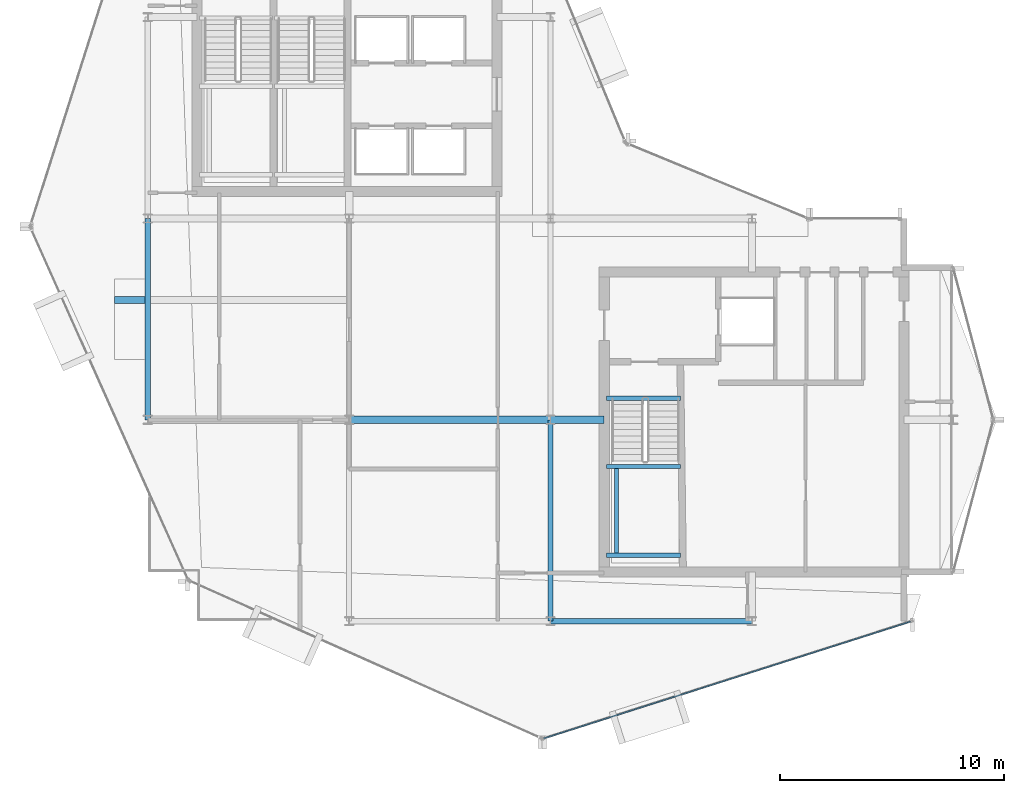
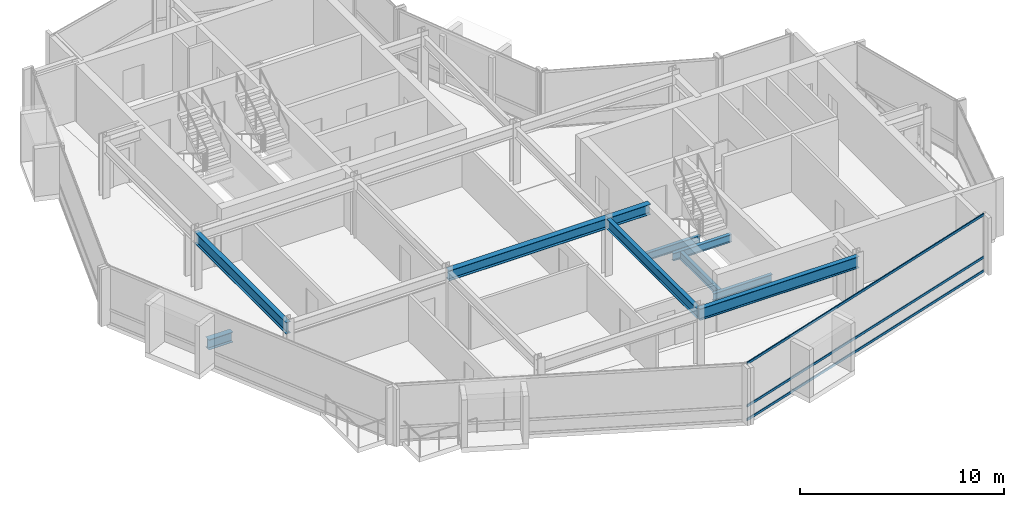
# One storey, part 5 of 19: 10 beams, 3 members, 1 element without a shape of its own.
"""IFC4 building model written with IfcOpenShell, lengths in metres."""

from ifc_helpers import new_model, si_unit, direction, frame, origin, origin_2d, place, context, subcontext, project, spatial, hollow_rectangle, i_section, extrude, material, layer, layer_set, material_profile, profile_set, type_object, element, aggregate, save


model = new_model("IFC4")

# Units and contexts
model_context = context("Model", 3, precision=1e-05, world=origin(), true_north=direction((0.0, 1.0)))
body_context = subcontext(model_context, "Body", "Model", "MODEL_VIEW")
ifc_project = project(units=[si_unit("LENGTHUNIT", "METRE"), si_unit("AREAUNIT", "SQUARE_METRE"), si_unit("VOLUMEUNIT", "CUBIC_METRE"), si_unit("PLANEANGLEUNIT", "RADIAN"), si_unit("MASSUNIT", "GRAM", prefix="KILO")], contexts=[model_context])

# Site, building, storey
site_placement = place(None, origin())
site = spatial("IfcSite", under=ifc_project, at=site_placement, CompositionType="ELEMENT")
building_placement = place(site_placement, origin())
building = spatial("IfcBuilding", under=site, at=building_placement, Name="Solvaryn Broadcast Tower", CompositionType="ELEMENT")
storey_placement = place(building_placement, frame((0.0, 0.0, 259.300048828125)))
storey = spatial("IfcBuildingStorey", under=building, at=storey_placement, Name="L65", CompositionType="ELEMENT", Elevation=259.300048828125)

# Beams
ifc_material_1 = material(Name="Steel ASTM A992 Grade 50", Category="steel")
ifc_material_profile_1 = material_profile(ifc_material_1, i_section(OverallWidth=0.323974609375, OverallDepth=0.611083984375, WebThickness=0.0126953125, FlangeThickness=0.01904296875, FilletRadius=0.014892578125, at=origin_2d()))
ifc_profile_set_1 = profile_set([ifc_material_profile_1], Name="Steel ASTM A992 Grade 50")
beam_type_1 = type_object("IfcBeamType", Name="BM-B1-W24X104", PredefinedType="BEAM", material=ifc_profile_set_1)
beam_1_placement = place(storey_placement, frame((18.0, 18.0, 3.114501953125), z_axis=(1.0, 0.0, 0.0), x_axis=(0.0, 1.0, 0.0)))
element("IfcBeam", 1, at=beam_1_placement, inside=storey, type_object=beam_type_1, Name="L65 Primary Beam X (18-27 @ Y=18)", PredefinedType="BEAM", context=body_context, shape_type="SweptSolid", body=[
    extrude(i_section(OverallWidth=0.323974609375, OverallDepth=0.611083984375, WebThickness=0.0126953125, FlangeThickness=0.01904296875, FilletRadius=0.014892578125, at=origin_2d()), origin(), (0.0, 0.0, 1.0), 9.0),
])
beam_2_placement = place(storey_placement, frame((27.0, 18.0, 3.114501953125), z_axis=(1.0, 0.0, 0.0), x_axis=(0.0, 1.0, 0.0)))
element("IfcBeam", 2, at=beam_2_placement, inside=storey, type_object=beam_type_1, Name="L65 Core Tie Beam CTE4", PredefinedType="BEAM", context=body_context, shape_type="SweptSolid", body=[
    extrude(i_section(OverallWidth=0.323974609375, OverallDepth=0.611083984375, WebThickness=0.0126953125, FlangeThickness=0.01904296875, FilletRadius=0.014892578125, at=origin_2d()), origin(), (0.0, 0.0, 1.0), 2.39990234375),
])
ifc_material_2 = material(Name="Steel ASTM A992 Grade 50", Category="steel")
ifc_material_profile_2 = material_profile(ifc_material_2, i_section(OverallWidth=0.22802734375, OverallDepth=0.60791015625, WebThickness=0.01123046875, FlangeThickness=0.017333984375, FilletRadius=0.014892578125, at=origin_2d()))
ifc_profile_set_2 = profile_set([ifc_material_profile_2], Name="Steel ASTM A992 Grade 50")
beam_type_2 = type_object("IfcBeamType", Name="BM-B2-W24X76", PredefinedType="BEAM", material=ifc_profile_set_2)
beam_3_placement = place(storey_placement, frame((27.0, 9.0, 3.115966796875), z_axis=(0.0, 1.0, 0.0), x_axis=(-1.0, 0.0, 0.0)))
element("IfcBeam", 3, at=beam_3_placement, inside=storey, type_object=beam_type_2, Name="L65 Primary Beam Y (9-18 @ X=27)", PredefinedType="BEAM", context=body_context, shape_type="SweptSolid", body=[
    extrude(i_section(OverallWidth=0.22802734375, OverallDepth=0.60791015625, WebThickness=0.01123046875, FlangeThickness=0.017333984375, FilletRadius=0.014892578125, at=origin_2d()), origin(), (0.0, 0.0, 1.0), 9.0),
])
ifc_material_3 = material(Name="Steel ASTM A992 Grade 50", Category="steel")
ifc_material_profile_3 = material_profile(ifc_material_3, i_section(OverallWidth=0.18994140625, OverallDepth=0.45703125, WebThickness=0.009033203125, FlangeThickness=0.014404296875, FilletRadius=0.011962890625, at=origin_2d()))
ifc_profile_set_3 = profile_set([ifc_material_profile_3], Name="Steel ASTM A992 Grade 50")
beam_type_3 = type_object("IfcBeamType", Name="BM-B4-W18X50", PredefinedType="BEAM", material=ifc_profile_set_3)
for number, where, z_axis, x_axis, name in (
    (4, (29.5, 18.9599609375, -0.508544921875), (1.0, 0.0, 0.0), (0.0, 1.0, 0.0), "L65 ST3 Stair Well Trimmer Beam"),
    (5, (29.5, 11.949951171875, 1.42138671875), (1.0, 0.0, 0.0), (0.0, 1.0, 0.0), "L65 ST3 Landing Support Beam 1A"),
    (6, (29.5, 15.909912109375, 1.42138671875), (1.0, 0.0, 0.0), (0.0, 1.0, 0.0), "L65 ST3 Landing Support Beam 1B"),
):
    element("IfcBeam", number, at=place(storey_placement, frame(where, z_axis=z_axis, x_axis=x_axis)), inside=storey, type_object=beam_type_3, Name=name, PredefinedType="BEAM", context=body_context, shape_type="SweptSolid", body=[
        extrude(i_section(OverallWidth=0.18994140625, OverallDepth=0.45703125, WebThickness=0.009033203125, FlangeThickness=0.014404296875, FilletRadius=0.011962890625, at=origin_2d()), origin(), (0.0, 0.0, 1.0), 3.320068359375),
    ])
beam_4_placement = place(storey_placement, frame((29.949951171875, 11.949951171875, 1.42138671875), z_axis=(0.0, 1.0, 0.0), x_axis=(-1.0, 0.0, 0.0)))
element("IfcBeam", 7, at=beam_4_placement, inside=storey, type_object=beam_type_3, Name="L65 ST3 Landing Cross Stringer 1C", PredefinedType="BEAM", context=body_context, shape_type="SweptSolid", body=[
    extrude(i_section(OverallWidth=0.18994140625, OverallDepth=0.45703125, WebThickness=0.009033203125, FlangeThickness=0.014404296875, FilletRadius=0.011962890625, at=origin_2d()), origin(), (0.0, 0.0, 1.0), 3.9599609375),
])
ifc_material_4 = material(Name="Steel ASTM A992 Grade 50", Category="steel")
ifc_material_profile_4 = material_profile(ifc_material_4, i_section(OverallWidth=0.323974609375, OverallDepth=0.611083984375, WebThickness=0.0126953125, FlangeThickness=0.01904296875, FilletRadius=0.014892578125, at=origin_2d()))
ifc_profile_set_4 = profile_set([ifc_material_profile_4], Name="Steel ASTM A992 Grade 50")
beam_type_4 = type_object("IfcBeamType", Name="BM-CANT-TER", PredefinedType="BEAM", material=ifc_profile_set_4)
beam_5_placement = place(storey_placement, frame((8.875, 23.35009765625, -0.58544921875), z_axis=(-1.0, 0.0, 0.0), x_axis=(0.0, -1.0, 0.0)))
element("IfcBeam", 8, at=beam_5_placement, inside=storey, type_object=beam_type_4, Name="L65 Bay-Box Cantilever Bracket 1", PredefinedType="BEAM", context=body_context, shape_type="SweptSolid", body=[
    extrude(i_section(OverallWidth=0.323974609375, OverallDepth=0.611083984375, WebThickness=0.0126953125, FlangeThickness=0.01904296875, FilletRadius=0.014892578125, at=origin_2d()), origin(), (0.0, 0.0, 1.0), 1.375),
])
ifc_material_5 = material(Name="Steel ASTM A992 Grade 50", Category="steel")
ifc_material_profile_5 = material_profile(ifc_material_5, i_section(OverallWidth=0.256103515625, OverallDepth=0.693115234375, WebThickness=0.014404296875, FlangeThickness=0.023681640625, FilletRadius=0.01611328125, at=origin_2d()))
ifc_profile_set_5 = profile_set([ifc_material_profile_5], Name="Steel ASTM A992 Grade 50")
beam_type_5 = type_object("IfcBeamType", Name="BM-SP3-W27X114", PredefinedType="USERDEFINED", material=ifc_profile_set_5)
for number, where, z_axis, x_axis, name in (
    (9, (27.0, 9.0, 3.073486328125), (1.0, 0.0, 0.0), (0.0, 1.0, 0.0), "L65 Spandrel Beam X (27-36 @ Y=9)"),
    (10, (9.0, 18.0, 3.073486328125), (0.0, 1.0, 0.0), (-1.0, 0.0, 0.0), "L65 Spandrel Beam Y (18-27 @ X=9)"),
):
    element("IfcBeam", number, at=place(storey_placement, frame(where, z_axis=z_axis, x_axis=x_axis)), inside=storey, type_object=beam_type_5, Name=name, ObjectType="SPANDREL", PredefinedType="USERDEFINED", context=body_context, shape_type="SweptSolid", body=[
        extrude(i_section(OverallWidth=0.256103515625, OverallDepth=0.693115234375, WebThickness=0.014404296875, FlangeThickness=0.023681640625, FilletRadius=0.01611328125, at=origin_2d()), origin(), (0.0, 0.0, 1.0), 9.0),
    ])

# Curtain wall, members
ifc_material_6 = material(Name="Aluminium and Terracotta Unitised Curtain Wall", Category="masonry")
ifc_layer = layer(ifc_material_6, 0.199951171875)
ifc_layer_set = layer_set([ifc_layer], Name="CW-SYS2-LOWMID")
curtain_wall_type = type_object("IfcCurtainWallType", Name="CW-SYS2-LOWMID", PredefinedType="NOTDEFINED", material=ifc_layer_set)
curtain_wall_placement = place(storey_placement, origin())
curtain_wall = element("IfcCurtainWall", 11, at=curtain_wall_placement, inside=storey, type_object=curtain_wall_type, Name="L65 Curtain Wall DR4", PredefinedType="NOTDEFINED")
ifc_material_7 = material(Name="Anodised Aluminium 6063-T6", Category="aluminium")
ifc_material_profile_6 = material_profile(ifc_material_7, hollow_rectangle(XDim=0.06494140625, YDim=0.14990234375, WallThickness=0.00390625, InnerFilletRadius=0.00390625, OuterFilletRadius=0.008056640625, at=origin_2d()))
ifc_profile_set_6 = profile_set([ifc_material_profile_6], Name="Anodised Aluminium 6063-T6")
member_type = type_object("IfcMemberType", Name="CW-TRN-150", PredefinedType="USERDEFINED", material=ifc_profile_set_6)
member_1_placement = place(storey_placement, frame((26.693115234375, 3.756103515625, 0.030029296875), z_axis=(0.952794352661, 0.303616405252, 0.0), x_axis=(-0.303616405252, 0.952794352661, 0.0)))
member_1 = element("IfcMember", 12, at=member_1_placement, type_object=member_type, Name="CWS2 transom 1.1", ObjectType="TRANSOM", PredefinedType="USERDEFINED", context=body_context, shape_type="SweptSolid", body=[
    extrude(hollow_rectangle(XDim=0.06494140625, YDim=0.14990234375, WallThickness=0.00390625, InnerFilletRadius=0.00390625, OuterFilletRadius=0.008056640625, at=origin_2d()), origin(), (0.0, 0.0, 1.0), 17.211181640625),
])
member_2_placement = place(storey_placement, frame((26.693115234375, 3.756103515625, 0.849853515625), z_axis=(0.952794352661, 0.303616405252, 0.0), x_axis=(-0.303616405252, 0.952794352661, 0.0)))
member_2 = element("IfcMember", 13, at=member_2_placement, type_object=member_type, Name="CWS2 transom 1.2", ObjectType="TRANSOM", PredefinedType="USERDEFINED", context=body_context, shape_type="SweptSolid", body=[
    extrude(hollow_rectangle(XDim=0.06494140625, YDim=0.14990234375, WallThickness=0.00390625, InnerFilletRadius=0.00390625, OuterFilletRadius=0.008056640625, at=origin_2d()), origin(), (0.0, 0.0, 1.0), 17.211181640625),
])
member_3_placement = place(storey_placement, frame((26.693115234375, 3.756103515625, 3.389892578125), z_axis=(0.952794352661, 0.303616405252, 0.0), x_axis=(-0.303616405252, 0.952794352661, 0.0)))
member_3 = element("IfcMember", 14, at=member_3_placement, type_object=member_type, Name="CWS2 transom 1.3", ObjectType="TRANSOM", PredefinedType="USERDEFINED", context=body_context, shape_type="SweptSolid", body=[
    extrude(hollow_rectangle(XDim=0.06494140625, YDim=0.14990234375, WallThickness=0.00390625, InnerFilletRadius=0.00390625, OuterFilletRadius=0.008056640625, at=origin_2d()), origin(), (0.0, 0.0, 1.0), 17.211181640625),
])
aggregate(curtain_wall, [member_1, member_2, member_3])

save(model, "model.ifc")
